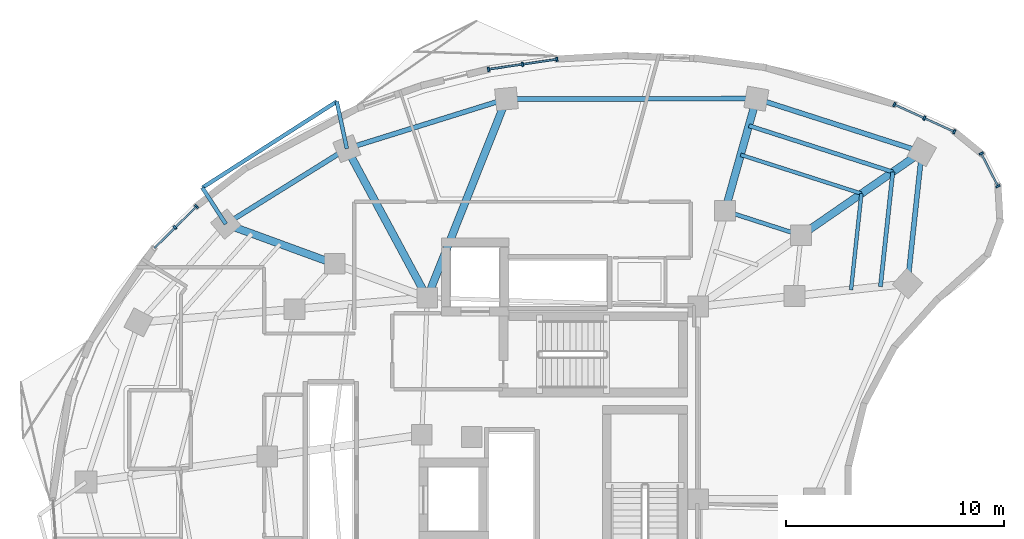
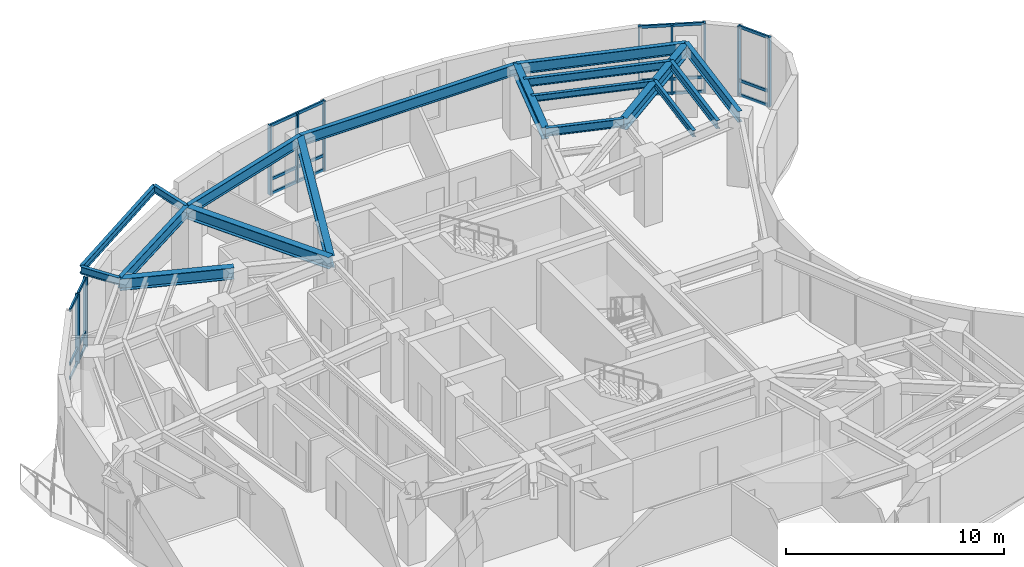
# One storey, part 5 of 13: 31 members, 18 beams, 4 elements without a shape of their own.
"""IFC4 building model written with IfcOpenShell, lengths in metres."""

from ifc_helpers import new_model, si_unit, direction, frame, origin, origin_2d, place, context, subcontext, project, spatial, rectangle, i_section, extrude, material, layer, layer_set, material_profile, profile_set, type_object, element, aggregate, save


model = new_model("IFC4")

# Units and contexts
model_context = context("Model", 3, precision=1e-05, world=origin(), true_north=direction((0.0, 1.0)))
body_context = subcontext(model_context, "Body", "Model", "MODEL_VIEW")
ifc_project = project(units=[si_unit("LENGTHUNIT", "METRE"), si_unit("AREAUNIT", "SQUARE_METRE"), si_unit("VOLUMEUNIT", "CUBIC_METRE"), si_unit("PLANEANGLEUNIT", "RADIAN"), si_unit("MASSUNIT", "GRAM", prefix="KILO")], contexts=[model_context])

# Site, building, storey
site_placement = place(None, origin())
site = spatial("IfcSite", under=ifc_project, at=site_placement, CompositionType="ELEMENT")
building_placement = place(site_placement, origin())
building = spatial("IfcBuilding", under=site, at=building_placement, Name="Korentha Bioscience Tower", CompositionType="ELEMENT")
storey_placement = place(building_placement, frame((0.0, 0.0, 154.199951171875)))
storey = spatial("IfcBuildingStorey", under=building, at=storey_placement, Name="L35", CompositionType="ELEMENT", Elevation=154.199951171875)

# Beam
ifc_material_1 = material(Name="Steel S355", Category="steel")
ifc_material_profile_1 = material_profile(ifc_material_1, i_section(OverallWidth=0.18994140625, OverallDepth=0.45703125, WebThickness=0.009033203125, FlangeThickness=0.014404296875, at=origin_2d()), Name="Steel S355")
ifc_profile_set_1 = profile_set([ifc_material_profile_1], Name="Steel S355 (MB-460)")
beam_type_1 = type_object("IfcBeamType", Name="Mid-Ring Tie Girder W460x74", PredefinedType="BEAM", material=ifc_profile_set_1)
beam_1_placement = place(storey_placement, frame((42.274658203125, 39.1171875, 3.671630859375), z_axis=(-0.952000195343, 0.306097415976, 0.0), x_axis=(-0.306097415976, -0.952000195343, 0.0)))
element("IfcBeam", 1, at=beam_1_placement, inside=storey, type_object=beam_type_1, Name="L35 Mid-Ring Tie Girder 01", PredefinedType="BEAM", context=body_context, shape_type="SweptSolid", body=[
    extrude(i_section(OverallWidth=0.18994140625, OverallDepth=0.45703125, WebThickness=0.009033203125, FlangeThickness=0.014404296875, at=origin_2d()), origin(), (0.0, 0.0, 1.0), 3.672119140625),
])

# Curtain wall, members
ifc_material_2 = material(Name="Thermally Broken Aluminium Frame", Category="aluminium")
ifc_layer = layer(ifc_material_2, 0.219970703125, Name="Thermally Broken Aluminium Frame")
ifc_layer_set = layer_set([ifc_layer], Name="Thermally Broken Aluminium Frame (CW-T1)")
curtain_wall_type = type_object("IfcCurtainWallType", Name="Standard Bioscience Lab Unitised Curtain Wall CW-T1", PredefinedType="USERDEFINED", material=ifc_layer_set)
curtain_wall_1_placement = place(storey_placement, origin())
curtain_wall_1 = element("IfcCurtainWall", 2, at=curtain_wall_1_placement, inside=storey, type_object=curtain_wall_type, Name="L35 Curtain Wall 01", ObjectType="UNITISED", PredefinedType="USERDEFINED")
ifc_material_3 = material(Name="Anodised Aluminium 6063-T6", Category="aluminium")
ifc_material_profile_2 = material_profile(ifc_material_3, rectangle(XDim=0.090087890625, YDim=0.199951171875, at=origin_2d()), Name="Anodised Aluminium 6063-T6")
ifc_profile_set_2 = profile_set([ifc_material_profile_2], Name="Anodised Aluminium 6063-T6 (CW-MUL)")
member_type_1 = type_object("IfcMemberType", Name="Mullion RECT 90x200", PredefinedType="MULLION", material=ifc_profile_set_2)
member_1_placement = place(storey_placement, frame((49.314453125, 43.878173828125, 0.0), z_axis=(0.0, 0.0, 1.0), x_axis=(-0.910644398392, 0.413190972406, 0.0)))
member_1 = element("IfcMember", 3, at=member_1_placement, type_object=member_type_1, Name="CW-L35-01 Mullion 1", PredefinedType="MULLION", context=body_context, shape_type="SweptSolid", body=[
    extrude(rectangle(XDim=0.090087890625, YDim=0.199951171875, at=origin_2d()), origin(), (0.0, 0.0, 1.0), 3.900146484375),
])
member_2_placement = place(storey_placement, frame((47.93701171875, 44.503173828125, 0.0), z_axis=(0.0, 0.0, 1.0), x_axis=(-0.910644398392, 0.413190972406, 0.0)))
member_2 = element("IfcMember", 4, at=member_2_placement, type_object=member_type_1, Name="CW-L35-01 Mullion 2", PredefinedType="MULLION", context=body_context, shape_type="SweptSolid", body=[
    extrude(rectangle(XDim=0.090087890625, YDim=0.199951171875, at=origin_2d()), origin(), (0.0, 0.0, 1.0), 3.900146484375),
])
member_3_placement = place(storey_placement, frame((46.5595703125, 45.128173828125, 0.0), z_axis=(0.0, 0.0, 1.0), x_axis=(-0.910644398392, 0.413190972406, 0.0)))
member_3 = element("IfcMember", 5, at=member_3_placement, type_object=member_type_1, Name="CW-L35-01 Mullion 3", PredefinedType="MULLION", context=body_context, shape_type="SweptSolid", body=[
    extrude(rectangle(XDim=0.090087890625, YDim=0.199951171875, at=origin_2d()), origin(), (0.0, 0.0, 1.0), 3.900146484375),
])

curtain_wall_2_placement = place(storey_placement, origin())
curtain_wall_2 = element("IfcCurtainWall", 6, at=curtain_wall_2_placement, inside=storey, type_object=curtain_wall_type, Name="L35 Curtain Wall 07", ObjectType="UNITISED", PredefinedType="USERDEFINED")
member_4_placement = place(storey_placement, frame((31.056640625, 47.205078125, 0.0), z_axis=(0.0, 0.0, 1.0), x_axis=(-0.989461919888, -0.144793332342, 0.0)))
member_4 = element("IfcMember", 7, at=member_4_placement, type_object=member_type_1, Name="CW-L35-07 Mullion 1", PredefinedType="MULLION", context=body_context, shape_type="SweptSolid", body=[
    extrude(rectangle(XDim=0.090087890625, YDim=0.199951171875, at=origin_2d()), origin(), (0.0, 0.0, 1.0), 3.900146484375),
])
member_5_placement = place(storey_placement, frame((29.485107421875, 46.97509765625, 0.0), z_axis=(0.0, 0.0, 1.0), x_axis=(-0.989461919888, -0.144793332342, 0.0)))
member_5 = element("IfcMember", 8, at=member_5_placement, type_object=member_type_1, Name="CW-L35-07 Mullion 2", PredefinedType="MULLION", context=body_context, shape_type="SweptSolid", body=[
    extrude(rectangle(XDim=0.090087890625, YDim=0.199951171875, at=origin_2d()), origin(), (0.0, 0.0, 1.0), 3.900146484375),
])
member_6_placement = place(storey_placement, frame((27.913330078125, 46.7451171875, 0.0), z_axis=(0.0, 0.0, 1.0), x_axis=(-0.989461919888, -0.144793332342, 0.0)))
member_6 = element("IfcMember", 9, at=member_6_placement, type_object=member_type_1, Name="CW-L35-07 Mullion 3", PredefinedType="MULLION", context=body_context, shape_type="SweptSolid", body=[
    extrude(rectangle(XDim=0.090087890625, YDim=0.199951171875, at=origin_2d()), origin(), (0.0, 0.0, 1.0), 3.900146484375),
])

curtain_wall_3_placement = place(storey_placement, origin())
curtain_wall_3 = element("IfcCurtainWall", 10, at=curtain_wall_3_placement, inside=storey, type_object=curtain_wall_type, Name="L35 Curtain Wall 13", ObjectType="UNITISED", PredefinedType="USERDEFINED")
member_7_placement = place(storey_placement, frame((14.49951171875, 40.44287109375, 0.0), z_axis=(0.0, 0.0, 1.0), x_axis=(-0.711460557971, -0.702726030862, 0.0)))
member_7 = element("IfcMember", 11, at=member_7_placement, type_object=member_type_1, Name="CW-L35-13 Mullion 1", PredefinedType="MULLION", context=body_context, shape_type="SweptSolid", body=[
    extrude(rectangle(XDim=0.090087890625, YDim=0.199951171875, at=origin_2d()), origin(), (0.0, 0.0, 1.0), 3.900146484375),
])
member_8_placement = place(storey_placement, frame((13.517333984375, 39.472900390625, 0.0), z_axis=(0.0, 0.0, 1.0), x_axis=(-0.711460557971, -0.702726030862, 0.0)))
member_8 = element("IfcMember", 12, at=member_8_placement, type_object=member_type_1, Name="CW-L35-13 Mullion 2", PredefinedType="MULLION", context=body_context, shape_type="SweptSolid", body=[
    extrude(rectangle(XDim=0.090087890625, YDim=0.199951171875, at=origin_2d()), origin(), (0.0, 0.0, 1.0), 3.900146484375),
])

curtain_wall_4_placement = place(storey_placement, origin())
curtain_wall_4 = element("IfcCurtainWall", 13, at=curtain_wall_4_placement, inside=storey, type_object=curtain_wall_type, Name="L35 Curtain Wall 61", ObjectType="UNITISED", PredefinedType="USERDEFINED")
member_9_placement = place(storey_placement, frame((51.31884765625, 41.375732421875, 0.0), z_axis=(0.0, 0.0, 1.0), x_axis=(-0.45428845847, 0.890854643868, 0.0)))
member_9 = element("IfcMember", 14, at=member_9_placement, type_object=member_type_1, Name="CW-L35-61 Mullion 1", PredefinedType="MULLION", context=body_context, shape_type="SweptSolid", body=[
    extrude(rectangle(XDim=0.090087890625, YDim=0.199951171875, at=origin_2d()), origin(), (0.0, 0.0, 1.0), 3.900146484375),
])
member_10_placement = place(storey_placement, frame((50.5546875, 42.873779296875, 0.0), z_axis=(0.0, 0.0, 1.0), x_axis=(-0.45428845847, 0.890854643868, 0.0)))
member_10 = element("IfcMember", 15, at=member_10_placement, type_object=member_type_1, Name="CW-L35-61 Mullion 2", PredefinedType="MULLION", context=body_context, shape_type="SweptSolid", body=[
    extrude(rectangle(XDim=0.090087890625, YDim=0.199951171875, at=origin_2d()), origin(), (0.0, 0.0, 1.0), 3.900146484375),
])

# Beams
ifc_material_profile_3 = material_profile(ifc_material_1, i_section(OverallWidth=0.22802734375, OverallDepth=0.60791015625, WebThickness=0.01123046875, FlangeThickness=0.017333984375, at=origin_2d()), Name="Steel S355")
ifc_profile_set_3 = profile_set([ifc_material_profile_3], Name="Steel S355 (SB-610)")
beam_type_2 = type_object("IfcBeamType", Name="Perimeter Ring Spandrel Girder W610x113", PredefinedType="SPANDREL", material=ifc_profile_set_3)
beam_2_placement = place(storey_placement, frame((47.821044921875, 42.95263671875, 3.595947265625), z_axis=(-0.952008512555, 0.306071547228, 0.0), x_axis=(-0.306071547228, -0.952008512555, 0.0)))
element("IfcBeam", 16, at=beam_2_placement, inside=storey, type_object=beam_type_2, Name="L35 Perimeter Spandrel Girder 01", PredefinedType="SPANDREL", context=body_context, shape_type="SweptSolid", body=[
    extrude(i_section(OverallWidth=0.22802734375, OverallDepth=0.60791015625, WebThickness=0.01123046875, FlangeThickness=0.017333984375, at=origin_2d()), origin(), (0.0, 0.0, 1.0), 7.98291015625),
])
beam_3_placement = place(storey_placement, frame((40.22119140625, 45.39599609375, 3.595947265625), z_axis=(-0.99999988041, -0.000489059883, 0.0), x_axis=(0.000489059883, -0.99999988041, 0.0)))
element("IfcBeam", 17, at=beam_3_placement, inside=storey, type_object=beam_type_2, Name="L35 Perimeter Spandrel Girder 02", PredefinedType="SPANDREL", context=body_context, shape_type="SweptSolid", body=[
    extrude(i_section(OverallWidth=0.22802734375, OverallDepth=0.60791015625, WebThickness=0.01123046875, FlangeThickness=0.017333984375, at=origin_2d()), origin(), (0.0, 0.0, 1.0), 11.481689453125),
])
beam_4_placement = place(storey_placement, frame((28.739501953125, 45.390380859375, 3.595947265625), z_axis=(-0.954638172607, -0.29776829818, 0.0), x_axis=(0.29776829818, -0.954638172607, 0.0)))
element("IfcBeam", 18, at=beam_4_placement, inside=storey, type_object=beam_type_2, Name="L35 Perimeter Spandrel Girder 03", PredefinedType="SPANDREL", context=body_context, shape_type="SweptSolid", body=[
    extrude(i_section(OverallWidth=0.22802734375, OverallDepth=0.60791015625, WebThickness=0.01123046875, FlangeThickness=0.017333984375, at=origin_2d()), origin(), (0.0, 0.0, 1.0), 7.682373046875),
])
beam_5_placement = place(storey_placement, frame((21.405517578125, 43.102783203125, 3.595947265625), z_axis=(-0.848675740059, -0.528913497876, 0.0), x_axis=(0.528913497876, -0.848675740059, 0.0)))
element("IfcBeam", 19, at=beam_5_placement, inside=storey, type_object=beam_type_2, Name="L35 Perimeter Spandrel Girder 04", PredefinedType="SPANDREL", context=body_context, shape_type="SweptSolid", body=[
    extrude(i_section(OverallWidth=0.22802734375, OverallDepth=0.60791015625, WebThickness=0.01123046875, FlangeThickness=0.017333984375, at=origin_2d()), origin(), (0.0, 0.0, 1.0), 6.55322265625),
])
beam_6_placement = place(storey_placement, frame((47.16748046875, 36.89794921875, 3.595947265625), z_axis=(0.10732012232, 0.994224517574, 0.0), x_axis=(-0.994224517574, 0.10732012232, 0.0)))
element("IfcBeam", 20, at=beam_6_placement, inside=storey, type_object=beam_type_2, Name="L35 Perimeter Spandrel Girder 16", PredefinedType="SPANDREL", context=body_context, shape_type="SweptSolid", body=[
    extrude(i_section(OverallWidth=0.22802734375, OverallDepth=0.60791015625, WebThickness=0.01123046875, FlangeThickness=0.017333984375, at=origin_2d()), origin(), (0.0, 0.0, 1.0), 6.08984375),
])
ifc_material_profile_4 = material_profile(ifc_material_1, i_section(OverallWidth=0.18994140625, OverallDepth=0.45703125, WebThickness=0.009033203125, FlangeThickness=0.014404296875, at=origin_2d()), Name="Steel S355")
ifc_profile_set_4 = profile_set([ifc_material_profile_4], Name="Steel S355 (RB-460)")
beam_type_3 = type_object("IfcBeamType", Name="Radial Laboratory Beam W460x74", PredefinedType="BEAM", material=ifc_profile_set_4)
beam_7_placement = place(storey_placement, frame((46.489990234375, 42.031982421875, 3.671630859375), z_axis=(-0.952009183817, 0.306069459318, 0.0), x_axis=(-0.306069459318, -0.952009183817, 0.0)))
element("IfcBeam", 21, at=beam_7_placement, inside=storey, type_object=beam_type_3, Name="L35 Secondary Floor Beam JSTO-01", PredefinedType="BEAM", context=body_context, shape_type="SweptSolid", body=[
    extrude(i_section(OverallWidth=0.18994140625, OverallDepth=0.45703125, WebThickness=0.009033203125, FlangeThickness=0.014404296875, at=origin_2d()), origin(), (0.0, 0.0, 1.0), 6.948486328125),
])
beam_8_placement = place(storey_placement, frame((45.921142578125, 36.76220703125, 3.671630859375), z_axis=(0.107321875607, 0.994224328316, 0.0), x_axis=(-0.994224328316, 0.107321875607, 0.0)))
element("IfcBeam", 22, at=beam_8_placement, inside=storey, type_object=beam_type_3, Name="L35 Secondary Floor Beam JSTO-16", PredefinedType="BEAM", context=body_context, shape_type="SweptSolid", body=[
    extrude(i_section(OverallWidth=0.18994140625, OverallDepth=0.45703125, WebThickness=0.009033203125, FlangeThickness=0.014404296875, at=origin_2d()), origin(), (0.0, 0.0, 1.0), 5.30029296875),
])
ifc_material_profile_5 = material_profile(ifc_material_1, i_section(OverallWidth=0.35009765625, OverallDepth=0.64990234375, WebThickness=0.01611328125, FlangeThickness=0.02490234375, at=origin_2d()), Name="Steel S355")
ifc_profile_set_5 = profile_set([ifc_material_profile_5], Name="Steel S355 (RB-650)")
beam_type_4 = type_object("IfcBeamType", Name="Radial Laboratory Girder CVS 650x208", PredefinedType="BEAM", material=ifc_profile_set_5)
beam_9_placement = place(storey_placement, frame((42.274658203125, 39.1171875, 3.574951171875), z_axis=(0.822494455845, 0.568773127094, 0.0), x_axis=(-0.568773127094, 0.822494455845, 0.0)))
element("IfcBeam", 23, at=beam_9_placement, inside=storey, type_object=beam_type_4, Name="L35 Outer Radial Girder 01", PredefinedType="BEAM", context=body_context, shape_type="SweptSolid", body=[
    extrude(i_section(OverallWidth=0.35009765625, OverallDepth=0.64990234375, WebThickness=0.01611328125, FlangeThickness=0.02490234375, at=origin_2d()), origin(), (0.0, 0.0, 1.0), 6.743408203125),
])
beam_10_placement = place(storey_placement, frame((38.77880859375, 40.2412109375, 3.574951171875), z_axis=(0.269464128344, 0.963010427532, 0.0), x_axis=(-0.963010427532, 0.269464128344, 0.0)))
element("IfcBeam", 24, at=beam_10_placement, inside=storey, type_object=beam_type_4, Name="L35 Outer Radial Girder 02", PredefinedType="BEAM", context=body_context, shape_type="SweptSolid", body=[
    extrude(i_section(OverallWidth=0.35009765625, OverallDepth=0.64990234375, WebThickness=0.01611328125, FlangeThickness=0.02490234375, at=origin_2d()), origin(), (0.0, 0.0, 1.0), 5.352783203125),
])
beam_11_placement = place(storey_placement, frame((25.10009765625, 36.25, 3.574951171875), z_axis=(0.369922682955, 0.929062542909, 0.0), x_axis=(-0.929062542909, 0.369922682955, 0.0)))
element("IfcBeam", 25, at=beam_11_placement, inside=storey, type_object=beam_type_4, Name="L35 Radial Girder 03", PredefinedType="BEAM", context=body_context, shape_type="SweptSolid", body=[
    extrude(i_section(OverallWidth=0.35009765625, OverallDepth=0.64990234375, WebThickness=0.01611328125, FlangeThickness=0.02490234375, at=origin_2d()), origin(), (0.0, 0.0, 1.0), 9.83837890625),
])
beam_12_placement = place(storey_placement, frame((25.10009765625, 36.25, 3.574951171875), z_axis=(-0.474559790141, 0.880223270302, 0.0), x_axis=(-0.880223270302, -0.474559790141, 0.0)))
element("IfcBeam", 26, at=beam_12_placement, inside=storey, type_object=beam_type_4, Name="L35 Radial Girder 04", PredefinedType="BEAM", context=body_context, shape_type="SweptSolid", body=[
    extrude(i_section(OverallWidth=0.35009765625, OverallDepth=0.64990234375, WebThickness=0.01611328125, FlangeThickness=0.02490234375, at=origin_2d()), origin(), (0.0, 0.0, 1.0), 7.785400390625),
])
beam_13_placement = place(storey_placement, frame((20.84228515625, 37.807861328125, 3.574951171875), z_axis=(-0.939109855566, 0.343617053097, 0.0), x_axis=(-0.343617053097, -0.939109855566, 0.0)))
element("IfcBeam", 27, at=beam_13_placement, inside=storey, type_object=beam_type_4, Name="L35 Outer Radial Girder 05", PredefinedType="BEAM", context=body_context, shape_type="SweptSolid", body=[
    extrude(i_section(OverallWidth=0.35009765625, OverallDepth=0.64990234375, WebThickness=0.01611328125, FlangeThickness=0.02490234375, at=origin_2d()), origin(), (0.0, 0.0, 1.0), 5.322265625),
])
ifc_material_profile_6 = material_profile(ifc_material_1, i_section(OverallWidth=0.1708984375, OverallDepth=0.35498046875, WebThickness=0.007080078125, FlangeThickness=0.01171875, at=origin_2d()), Name="Steel S355")
ifc_profile_set_6 = profile_set([ifc_material_profile_6], Name="Steel S355 (JB-360)")
beam_type_5 = type_object("IfcBeamType", Name="Secondary Laboratory Joist W360x51", PredefinedType="JOIST", material=ifc_profile_set_6)
beam_14_placement = place(storey_placement, frame((45.0478515625, 41.034912109375, 3.72265625), z_axis=(-0.952005892166, 0.306079697596, 0.0), x_axis=(-0.306079697596, -0.952005892166, 0.0)))
element("IfcBeam", 28, at=beam_14_placement, inside=storey, type_object=beam_type_5, Name="L35 Secondary Floor Beam JST-01", PredefinedType="JOIST", context=body_context, shape_type="SweptSolid", body=[
    extrude(i_section(OverallWidth=0.1708984375, OverallDepth=0.35498046875, WebThickness=0.007080078125, FlangeThickness=0.01171875, at=origin_2d()), origin(), (0.0, 0.0, 1.0), 5.82763671875),
])
beam_15_placement = place(storey_placement, frame((44.57080078125, 36.614990234375, 3.72265625), z_axis=(0.107308722475, 0.994225748048, 0.0), x_axis=(-0.994225748048, 0.107308722475, 0.0)))
element("IfcBeam", 29, at=beam_15_placement, inside=storey, type_object=beam_type_5, Name="L35 Secondary Floor Beam JST-16", PredefinedType="JOIST", context=body_context, shape_type="SweptSolid", body=[
    extrude(i_section(OverallWidth=0.1708984375, OverallDepth=0.35498046875, WebThickness=0.007080078125, FlangeThickness=0.01171875, at=origin_2d()), origin(), (0.0, 0.0, 1.0), 4.445556640625),
])
ifc_material_profile_7 = material_profile(ifc_material_1, i_section(OverallWidth=0.177978515625, OverallDepth=0.406982421875, WebThickness=0.0078125, FlangeThickness=0.0126953125, at=origin_2d()), Name="Steel S355")
ifc_profile_set_7 = profile_set([ifc_material_profile_7], Name="Steel S355 (CB-410)")
beam_type_6 = type_object("IfcBeamType", Name="Sun-Ledge Cantilever Beam W410x60", PredefinedType="BEAM", material=ifc_profile_set_7)
beam_16_placement = place(storey_placement, frame((21.405517578125, 43.102783203125, 3.698486328125), z_axis=(-0.208812997675, 0.97795558795, 0.0), x_axis=(-0.97795558795, -0.208812997675, 0.0)))
element("IfcBeam", 30, at=beam_16_placement, inside=storey, type_object=beam_type_6, Name="L35 Balcony Cantilever Bracket A-L36-01", PredefinedType="BEAM", context=body_context, shape_type="SweptSolid", body=[
    extrude(i_section(OverallWidth=0.177978515625, OverallDepth=0.406982421875, WebThickness=0.0078125, FlangeThickness=0.0126953125, at=origin_2d()), origin(), (0.0, 0.0, 1.0), 2.212158203125),
])
beam_17_placement = place(storey_placement, frame((15.843994140625, 39.63671875, 3.698486328125), z_axis=(-0.541651192017, 0.840603346523, 0.0), x_axis=(-0.840603346523, -0.541651192017, 0.0)))
element("IfcBeam", 31, at=beam_17_placement, inside=storey, type_object=beam_type_6, Name="L35 Balcony Cantilever Bracket B-L36-01", PredefinedType="BEAM", context=body_context, shape_type="SweptSolid", body=[
    extrude(i_section(OverallWidth=0.177978515625, OverallDepth=0.406982421875, WebThickness=0.0078125, FlangeThickness=0.0126953125, at=origin_2d()), origin(), (0.0, 0.0, 1.0), 1.98779296875),
])
beam_18_placement = place(storey_placement, frame((20.943603515625, 45.26611328125, 3.698486328125), z_axis=(-0.841919457307, -0.539603212933, 0.0), x_axis=(0.539603212933, -0.841919457307, 0.0)))
element("IfcBeam", 32, at=beam_18_placement, inside=storey, type_object=beam_type_6, Name="L35 Balcony Edge Trimmer Beam L36-01", PredefinedType="BEAM", context=body_context, shape_type="SweptSolid", body=[
    extrude(i_section(OverallWidth=0.177978515625, OverallDepth=0.406982421875, WebThickness=0.0078125, FlangeThickness=0.0126953125, at=origin_2d()), origin(), (0.0, 0.0, 1.0), 7.3359375),
])

# Member
ifc_material_profile_8 = material_profile(ifc_material_3, rectangle(XDim=0.090087890625, YDim=0.159912109375, at=origin_2d()), Name="Anodised Aluminium 6063-T6")
ifc_profile_set_8 = profile_set([ifc_material_profile_8], Name="Anodised Aluminium 6063-T6 (CW-TRN)")
member_type_2 = type_object("IfcMemberType", Name="Transom RECT 90x160", PredefinedType="USERDEFINED", material=ifc_profile_set_8)
member_11_placement = place(storey_placement, frame((49.2734375, 43.896728515625, 0.045166015625), z_axis=(-0.910613165474, 0.41325980069, 0.0), x_axis=(-0.41325980069, -0.910613165474, 0.0)))
member_11 = element("IfcMember", 33, at=member_11_placement, type_object=member_type_2, Name="CW-L35-01 Bay 1 Transom 1", ObjectType="TRANSOM", PredefinedType="USERDEFINED", context=body_context, shape_type="SweptSolid", body=[
    extrude(rectangle(XDim=0.090087890625, YDim=0.159912109375, at=origin_2d()), origin(), (0.0, 0.0, 1.0), 1.422607421875),
])

member_12_placement = place(storey_placement, frame((49.2734375, 43.896728515625, 0.85009765625), z_axis=(-0.910613165474, 0.41325980069, 0.0), x_axis=(-0.41325980069, -0.910613165474, 0.0)))
member_12 = element("IfcMember", 34, at=member_12_placement, type_object=member_type_2, Name="CW-L35-01 Bay 1 Transom 2", ObjectType="TRANSOM", PredefinedType="USERDEFINED", context=body_context, shape_type="SweptSolid", body=[
    extrude(rectangle(XDim=0.090087890625, YDim=0.159912109375, at=origin_2d()), origin(), (0.0, 0.0, 1.0), 1.422607421875),
])

member_13_placement = place(storey_placement, frame((49.2734375, 43.896728515625, 3.85498046875), z_axis=(-0.910613165474, 0.41325980069, 0.0), x_axis=(-0.41325980069, -0.910613165474, 0.0)))
member_13 = element("IfcMember", 35, at=member_13_placement, type_object=member_type_2, Name="CW-L35-01 Bay 1 Transom 3", ObjectType="TRANSOM", PredefinedType="USERDEFINED", context=body_context, shape_type="SweptSolid", body=[
    extrude(rectangle(XDim=0.090087890625, YDim=0.159912109375, at=origin_2d()), origin(), (0.0, 0.0, 1.0), 1.422607421875),
])

member_14_placement = place(storey_placement, frame((47.89599609375, 44.521728515625, 0.045166015625), z_axis=(-0.910613165474, 0.41325980069, 0.0), x_axis=(-0.41325980069, -0.910613165474, 0.0)))
member_14 = element("IfcMember", 36, at=member_14_placement, type_object=member_type_2, Name="CW-L35-01 Bay 2 Transom 1", ObjectType="TRANSOM", PredefinedType="USERDEFINED", context=body_context, shape_type="SweptSolid", body=[
    extrude(rectangle(XDim=0.090087890625, YDim=0.159912109375, at=origin_2d()), origin(), (0.0, 0.0, 1.0), 1.422607421875),
])

member_15_placement = place(storey_placement, frame((47.89599609375, 44.521728515625, 0.85009765625), z_axis=(-0.910613165474, 0.41325980069, 0.0), x_axis=(-0.41325980069, -0.910613165474, 0.0)))
member_15 = element("IfcMember", 37, at=member_15_placement, type_object=member_type_2, Name="CW-L35-01 Bay 2 Transom 2", ObjectType="TRANSOM", PredefinedType="USERDEFINED", context=body_context, shape_type="SweptSolid", body=[
    extrude(rectangle(XDim=0.090087890625, YDim=0.159912109375, at=origin_2d()), origin(), (0.0, 0.0, 1.0), 1.422607421875),
])

member_16_placement = place(storey_placement, frame((47.89599609375, 44.521728515625, 3.85498046875), z_axis=(-0.910613165474, 0.41325980069, 0.0), x_axis=(-0.41325980069, -0.910613165474, 0.0)))
member_16 = element("IfcMember", 38, at=member_16_placement, type_object=member_type_2, Name="CW-L35-01 Bay 2 Transom 3", ObjectType="TRANSOM", PredefinedType="USERDEFINED", context=body_context, shape_type="SweptSolid", body=[
    extrude(rectangle(XDim=0.090087890625, YDim=0.159912109375, at=origin_2d()), origin(), (0.0, 0.0, 1.0), 1.422607421875),
])

aggregate(curtain_wall_1, [member_1, member_2, member_3, member_11, member_12, member_13, member_14, member_15, member_16])

member_17_placement = place(storey_placement, frame((31.01220703125, 47.198486328125, 0.045166015625), z_axis=(-0.989478137929, -0.144682461136, 0.0), x_axis=(0.144682461136, -0.989478137929, 0.0)))
member_17 = element("IfcMember", 39, at=member_17_placement, type_object=member_type_2, Name="CW-L35-07 Bay 1 Transom 1", ObjectType="TRANSOM", PredefinedType="USERDEFINED", context=body_context, shape_type="SweptSolid", body=[
    extrude(rectangle(XDim=0.090087890625, YDim=0.159912109375, at=origin_2d()), origin(), (0.0, 0.0, 1.0), 1.49853515625),
])

member_18_placement = place(storey_placement, frame((31.01220703125, 47.198486328125, 0.85009765625), z_axis=(-0.989478137929, -0.144682461136, 0.0), x_axis=(0.144682461136, -0.989478137929, 0.0)))
member_18 = element("IfcMember", 40, at=member_18_placement, type_object=member_type_2, Name="CW-L35-07 Bay 1 Transom 2", ObjectType="TRANSOM", PredefinedType="USERDEFINED", context=body_context, shape_type="SweptSolid", body=[
    extrude(rectangle(XDim=0.090087890625, YDim=0.159912109375, at=origin_2d()), origin(), (0.0, 0.0, 1.0), 1.49853515625),
])

member_19_placement = place(storey_placement, frame((31.01220703125, 47.198486328125, 3.85498046875), z_axis=(-0.989478137929, -0.144682461136, 0.0), x_axis=(0.144682461136, -0.989478137929, 0.0)))
member_19 = element("IfcMember", 41, at=member_19_placement, type_object=member_type_2, Name="CW-L35-07 Bay 1 Transom 3", ObjectType="TRANSOM", PredefinedType="USERDEFINED", context=body_context, shape_type="SweptSolid", body=[
    extrude(rectangle(XDim=0.090087890625, YDim=0.159912109375, at=origin_2d()), origin(), (0.0, 0.0, 1.0), 1.49853515625),
])

member_20_placement = place(storey_placement, frame((29.4404296875, 46.968505859375, 0.045166015625), z_axis=(-0.989474726473, -0.144705790038, 0.0), x_axis=(0.144705790038, -0.989474726473, 0.0)))
member_20 = element("IfcMember", 42, at=member_20_placement, type_object=member_type_2, Name="CW-L35-07 Bay 2 Transom 1", ObjectType="TRANSOM", PredefinedType="USERDEFINED", context=body_context, shape_type="SweptSolid", body=[
    extrude(rectangle(XDim=0.090087890625, YDim=0.159912109375, at=origin_2d()), origin(), (0.0, 0.0, 1.0), 1.498291015625),
])

member_21_placement = place(storey_placement, frame((29.4404296875, 46.968505859375, 0.85009765625), z_axis=(-0.989474726473, -0.144705790038, 0.0), x_axis=(0.144705790038, -0.989474726473, 0.0)))
member_21 = element("IfcMember", 43, at=member_21_placement, type_object=member_type_2, Name="CW-L35-07 Bay 2 Transom 2", ObjectType="TRANSOM", PredefinedType="USERDEFINED", context=body_context, shape_type="SweptSolid", body=[
    extrude(rectangle(XDim=0.090087890625, YDim=0.159912109375, at=origin_2d()), origin(), (0.0, 0.0, 1.0), 1.498291015625),
])

member_22_placement = place(storey_placement, frame((29.4404296875, 46.968505859375, 3.85498046875), z_axis=(-0.989474726473, -0.144705790038, 0.0), x_axis=(0.144705790038, -0.989474726473, 0.0)))
member_22 = element("IfcMember", 44, at=member_22_placement, type_object=member_type_2, Name="CW-L35-07 Bay 2 Transom 3", ObjectType="TRANSOM", PredefinedType="USERDEFINED", context=body_context, shape_type="SweptSolid", body=[
    extrude(rectangle(XDim=0.090087890625, YDim=0.159912109375, at=origin_2d()), origin(), (0.0, 0.0, 1.0), 1.498291015625),
])

aggregate(curtain_wall_2, [member_4, member_5, member_6, member_17, member_18, member_19, member_20, member_21, member_22])

member_23_placement = place(storey_placement, frame((14.46728515625, 40.4111328125, 0.045166015625), z_axis=(-0.711445315109, -0.70274146285, 0.0), x_axis=(0.70274146285, -0.711445315109, 0.0)))
member_23 = element("IfcMember", 45, at=member_23_placement, type_object=member_type_2, Name="CW-L35-13 Bay 1 Transom 1", ObjectType="TRANSOM", PredefinedType="USERDEFINED", context=body_context, shape_type="SweptSolid", body=[
    extrude(rectangle(XDim=0.090087890625, YDim=0.159912109375, at=origin_2d()), origin(), (0.0, 0.0, 1.0), 1.290283203125),
])

member_24_placement = place(storey_placement, frame((14.46728515625, 40.4111328125, 0.85009765625), z_axis=(-0.711445315109, -0.70274146285, 0.0), x_axis=(0.70274146285, -0.711445315109, 0.0)))
member_24 = element("IfcMember", 46, at=member_24_placement, type_object=member_type_2, Name="CW-L35-13 Bay 1 Transom 2", ObjectType="TRANSOM", PredefinedType="USERDEFINED", context=body_context, shape_type="SweptSolid", body=[
    extrude(rectangle(XDim=0.090087890625, YDim=0.159912109375, at=origin_2d()), origin(), (0.0, 0.0, 1.0), 1.290283203125),
])

member_25_placement = place(storey_placement, frame((14.46728515625, 40.4111328125, 3.85498046875), z_axis=(-0.711445315109, -0.70274146285, 0.0), x_axis=(0.70274146285, -0.711445315109, 0.0)))
member_25 = element("IfcMember", 47, at=member_25_placement, type_object=member_type_2, Name="CW-L35-13 Bay 1 Transom 3", ObjectType="TRANSOM", PredefinedType="USERDEFINED", context=body_context, shape_type="SweptSolid", body=[
    extrude(rectangle(XDim=0.090087890625, YDim=0.159912109375, at=origin_2d()), origin(), (0.0, 0.0, 1.0), 1.290283203125),
])

member_26_placement = place(storey_placement, frame((13.4853515625, 39.441162109375, 0.045166015625), z_axis=(-0.711444158079, -0.70274263421, 0.0), x_axis=(0.70274263421, -0.711444158079, 0.0)))
member_26 = element("IfcMember", 48, at=member_26_placement, type_object=member_type_2, Name="CW-L35-13 Bay 2 Transom 1", ObjectType="TRANSOM", PredefinedType="USERDEFINED", context=body_context, shape_type="SweptSolid", body=[
    extrude(rectangle(XDim=0.090087890625, YDim=0.159912109375, at=origin_2d()), origin(), (0.0, 0.0, 1.0), 1.29052734375),
])

member_27_placement = place(storey_placement, frame((13.4853515625, 39.441162109375, 0.85009765625), z_axis=(-0.711444158079, -0.70274263421, 0.0), x_axis=(0.70274263421, -0.711444158079, 0.0)))
member_27 = element("IfcMember", 49, at=member_27_placement, type_object=member_type_2, Name="CW-L35-13 Bay 2 Transom 2", ObjectType="TRANSOM", PredefinedType="USERDEFINED", context=body_context, shape_type="SweptSolid", body=[
    extrude(rectangle(XDim=0.090087890625, YDim=0.159912109375, at=origin_2d()), origin(), (0.0, 0.0, 1.0), 1.29052734375),
])

member_28_placement = place(storey_placement, frame((13.4853515625, 39.441162109375, 3.85498046875), z_axis=(-0.711444158079, -0.70274263421, 0.0), x_axis=(0.70274263421, -0.711444158079, 0.0)))
member_28 = element("IfcMember", 50, at=member_28_placement, type_object=member_type_2, Name="CW-L35-13 Bay 2 Transom 3", ObjectType="TRANSOM", PredefinedType="USERDEFINED", context=body_context, shape_type="SweptSolid", body=[
    extrude(rectangle(XDim=0.090087890625, YDim=0.159912109375, at=origin_2d()), origin(), (0.0, 0.0, 1.0), 1.29052734375),
])

aggregate(curtain_wall_3, [member_7, member_8, member_23, member_24, member_25, member_26, member_27, member_28])

member_29_placement = place(storey_placement, frame((51.29833984375, 41.415771484375, 0.045166015625), z_axis=(-0.454316345026, 0.890840422658, 0.0), x_axis=(-0.890840422658, -0.454316345026, 0.0)))
member_29 = element("IfcMember", 51, at=member_29_placement, type_object=member_type_2, Name="CW-L35-61 Bay 1 Transom 1", ObjectType="TRANSOM", PredefinedType="USERDEFINED", context=body_context, shape_type="SweptSolid", body=[
    extrude(rectangle(XDim=0.090087890625, YDim=0.159912109375, at=origin_2d()), origin(), (0.0, 0.0, 1.0), 1.591796875),
])

member_30_placement = place(storey_placement, frame((51.29833984375, 41.415771484375, 0.85009765625), z_axis=(-0.454316345026, 0.890840422658, 0.0), x_axis=(-0.890840422658, -0.454316345026, 0.0)))
member_30 = element("IfcMember", 52, at=member_30_placement, type_object=member_type_2, Name="CW-L35-61 Bay 1 Transom 2", ObjectType="TRANSOM", PredefinedType="USERDEFINED", context=body_context, shape_type="SweptSolid", body=[
    extrude(rectangle(XDim=0.090087890625, YDim=0.159912109375, at=origin_2d()), origin(), (0.0, 0.0, 1.0), 1.591796875),
])

member_31_placement = place(storey_placement, frame((51.29833984375, 41.415771484375, 3.85498046875), z_axis=(-0.454316345026, 0.890840422658, 0.0), x_axis=(-0.890840422658, -0.454316345026, 0.0)))
member_31 = element("IfcMember", 53, at=member_31_placement, type_object=member_type_2, Name="CW-L35-61 Bay 1 Transom 3", ObjectType="TRANSOM", PredefinedType="USERDEFINED", context=body_context, shape_type="SweptSolid", body=[
    extrude(rectangle(XDim=0.090087890625, YDim=0.159912109375, at=origin_2d()), origin(), (0.0, 0.0, 1.0), 1.591796875),
])

aggregate(curtain_wall_4, [member_9, member_10, member_29, member_30, member_31])

save(model, "model.ifc")
